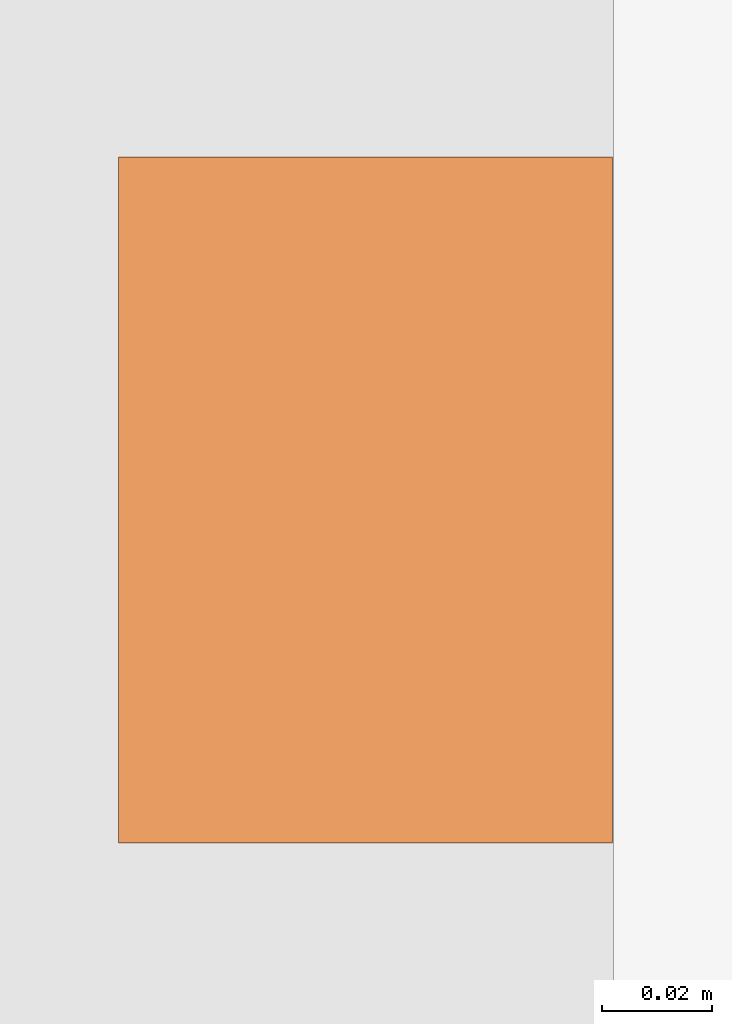
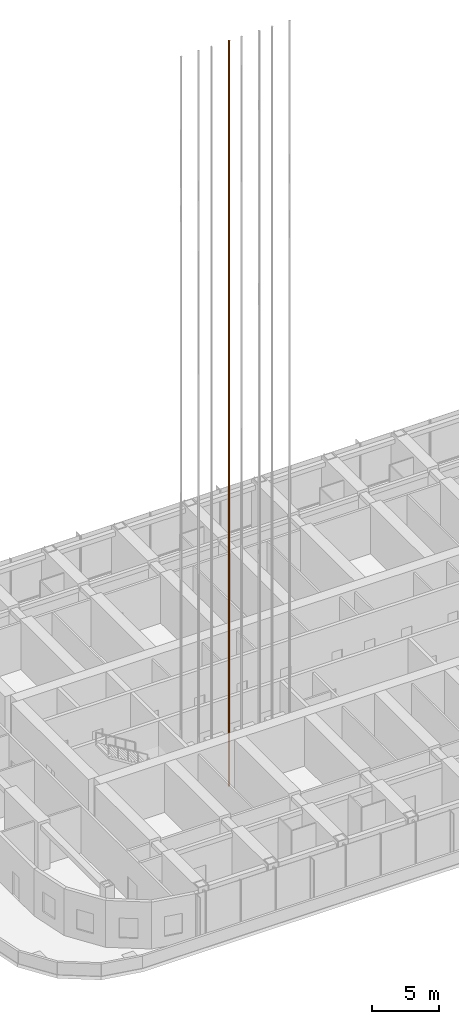
# One storey, part 28 of 32: 1 proxy.
"""IFC4 building model written with IfcOpenShell, lengths in metres."""

from ifc_helpers import new_model, si_unit, direction, frame, origin, origin_2d, place, context, subcontext, project, spatial, rectangle, extrude, material, element, save


model = new_model("IFC4")

# Units and contexts
model_context = context("Model", 3, precision=1e-05, world=origin(), true_north=direction((0.0, 1.0)))
body_context = subcontext(model_context, "Body", "Model", "MODEL_VIEW")
ifc_project = project(units=[si_unit("LENGTHUNIT", "METRE"), si_unit("AREAUNIT", "SQUARE_METRE"), si_unit("VOLUMEUNIT", "CUBIC_METRE"), si_unit("PLANEANGLEUNIT", "RADIAN"), si_unit("MASSUNIT", "GRAM", prefix="KILO")], contexts=[model_context])

# Site, building, storey
site_placement = place(None, origin())
site = spatial("IfcSite", under=ifc_project, at=site_placement, CompositionType="ELEMENT")
building_placement = place(site_placement, origin())
building = spatial("IfcBuilding", under=site, at=building_placement, Name="Orbita Commons", CompositionType="ELEMENT")
storey_placement = place(building_placement, frame((0.0, 0.0, 140.35009765625)))
storey = spatial("IfcBuildingStorey", under=building, at=storey_placement, Name="L34", CompositionType="ELEMENT", Elevation=140.35009765625)

# Proxy
ifc_material = material(Name="Machined steel guide rail", Category="steel")
placement = place(storey_placement, frame((29.89990234375, 28.10009765625, 0.0), z_axis=(0.0, 0.0, 1.0), x_axis=(1.0, 0.0, 0.0)))
proxy_placement = place(placement, frame((0.7548828125, 0.0, -1.800048828125)))
element("IfcBuildingElementProxy", 1, at=proxy_placement, inside=storey, material=ifc_material, Name="P32 guide rail 2", ObjectType="GUIDE RAIL", PredefinedType="USERDEFINED", context=body_context, shape_type="SweptSolid", body=[
    extrude(rectangle(XDim=0.09, YDim=0.125, at=origin_2d()), origin(), (0.0, 0.0, 1.0), 67.64990234375),
])

save(model, "model.ifc")
